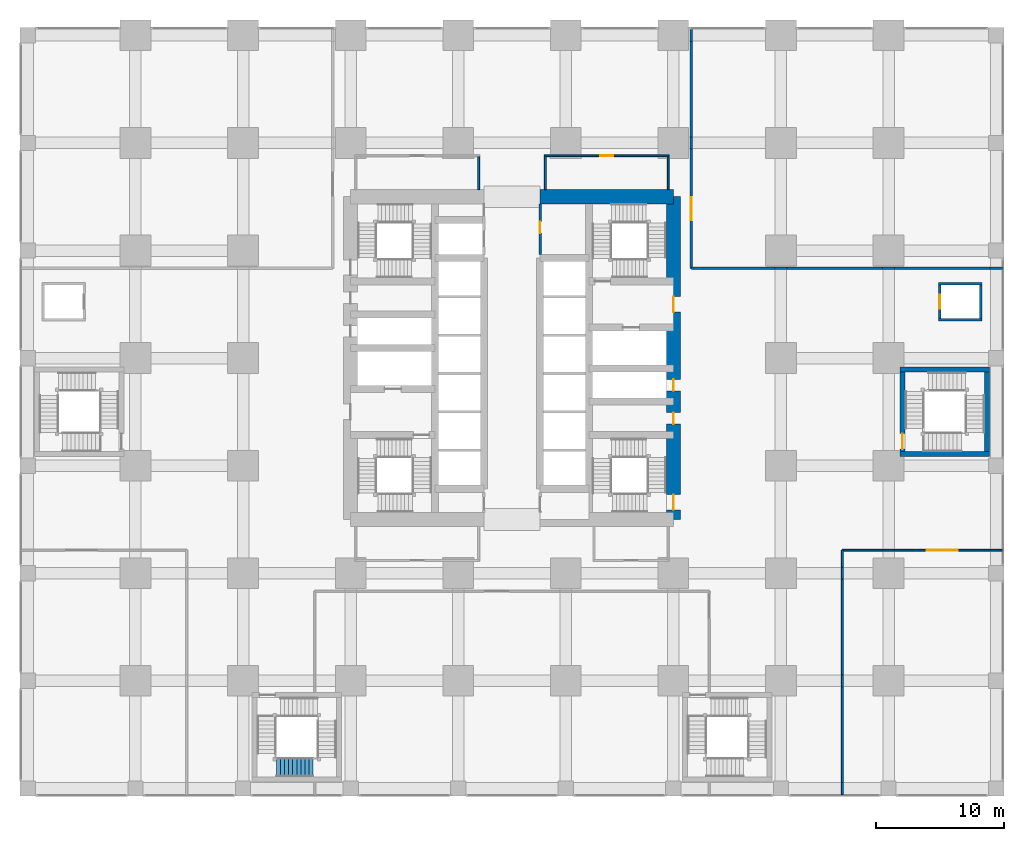
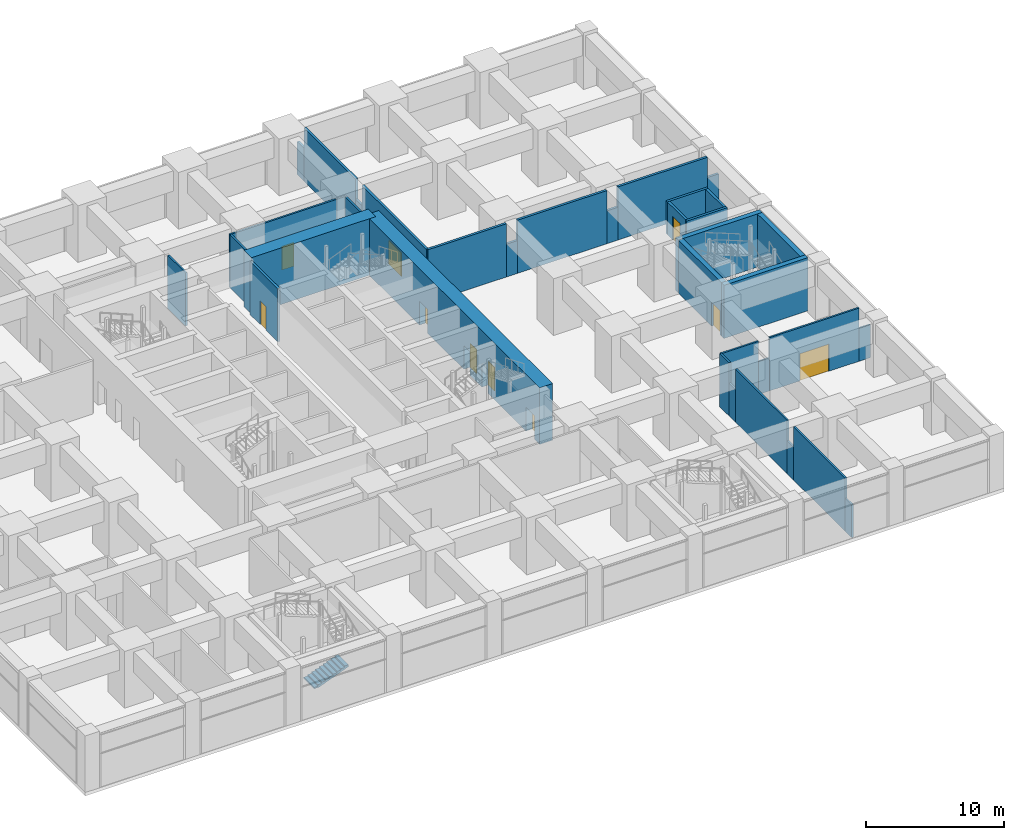
# One storey, part 38 of 48: 35 walls, 10 doors, 1 stair flight, 10 openings, 1 element without a shape of its own.
"""IFC4 building model written with IfcOpenShell, lengths in metres."""

from ifc_helpers import new_model, si_unit, direction, frame, frame_2d, origin, place, context, subcontext, project, spatial, polyline, rectangle, outline, extrude, material, layer, layer_set, type_object, element, fill, aggregate, save


model = new_model("IFC4")

# Units and contexts
model_context = context("Model", 3, precision=1e-05, world=origin(), true_north=direction((0.0, 1.0)))
body_context = subcontext(model_context, "Body", "Model", "MODEL_VIEW")
ifc_project = project(units=[si_unit("LENGTHUNIT", "METRE"), si_unit("AREAUNIT", "SQUARE_METRE"), si_unit("VOLUMEUNIT", "CUBIC_METRE"), si_unit("PLANEANGLEUNIT", "RADIAN"), si_unit("MASSUNIT", "GRAM", prefix="KILO")], contexts=[model_context])

# Site, building, storey
site_placement = place(None, origin())
site = spatial("IfcSite", under=ifc_project, at=site_placement, CompositionType="ELEMENT")
building_placement = place(site_placement, origin())
building = spatial("IfcBuilding", under=site, at=building_placement, Name="Rekha Terrace Tower", CompositionType="ELEMENT")
storey_placement = place(building_placement, frame((0.0, 0.0, 15.39990234375)))
storey = spatial("IfcBuildingStorey", under=building, at=storey_placement, Name="L03", CompositionType="ELEMENT", Elevation=15.39990234375)

# Wall
ifc_material_1 = material(Name="Concrete M70", Category="concrete")
ifc_layer_1 = layer(ifc_material_1, 1.10009765625)
ifc_layer_set_1 = layer_set([ifc_layer_1], Name="Concrete M70")
wall_type_1 = type_object("IfcWallType", Name="SW1 1100 core outer shear wall", PredefinedType="SHEAR", material=ifc_layer_set_1)
wall_1_placement = place(storey_placement, frame((40.0, 46.199951171875, 0.0), z_axis=(0.0, 0.0, 1.0), x_axis=(1.0, 0.0, 0.0)))
element("IfcWall", 1, at=wall_1_placement, inside=storey, type_object=wall_type_1, Name="Core wall N2 L03", PredefinedType="SHEAR", context=body_context, shape_type="SweptSolid", body=[
    extrude(rectangle(XDim=10.39990234375, YDim=1.10009765625, at=frame_2d((5.199951171875, 0.0))), origin(), (0.0, 0.0, 1.0), 5.0),
])

# Wall, openings, doors
wall_2_placement = place(storey_placement, frame((50.39990234375, 21.0, 0.0), z_axis=(0.0, 0.0, 1.0), x_axis=(0.0, 1.0, 0.0)))
wall_2 = element("IfcWall", 2, at=wall_2_placement, inside=storey, type_object=wall_type_1, Name="Core wall E L03", PredefinedType="SHEAR", context=body_context, shape_type="SweptSolid", body=[
    extrude(rectangle(XDim=25.199951171875, YDim=1.10009765625, at=frame_2d((12.60009765625, 0.0))), origin(), (0.0, 0.0, 1.0), 5.0),
])
opening_1_placement = place(wall_2_placement, frame((16.199951171875, 0.0, 0.0)))
opening_1 = element("IfcOpeningElement", 3, at=opening_1_placement, cuts=wall_2, Name="Opening D2", PredefinedType="OPENING", context=body_context, shape_type="SweptSolid", body=[
    extrude(rectangle(XDim=1.199951171875, YDim=2.10009765625, at=frame_2d((0.60009765625, 1.050048828125))), frame((0.0, 0.56005859375, 0.0), z_axis=(0.0, -1.0, 0.0), x_axis=(1.0, 0.0, 0.0)), (0.0, 0.0, 1.0), 1.1201171875),
])
opening_2_placement = place(wall_2_placement, frame((10.050048828125, 0.0, 0.0)))
opening_2 = element("IfcOpeningElement", 4, at=opening_2_placement, cuts=wall_2, Name="Opening D5", PredefinedType="OPENING", context=body_context, shape_type="SweptSolid", body=[
    extrude(rectangle(XDim=0.89990234375, YDim=2.10009765625, at=frame_2d((0.449951171875, 1.050048828125))), frame((0.0, 0.56005859375, 0.0), z_axis=(0.0, -1.0, 0.0), x_axis=(1.0, 0.0, 0.0)), (0.0, 0.0, 1.0), 1.1201171875),
])
opening_3_placement = place(wall_2_placement, frame((7.449951171875, 0.0, 0.0)))
opening_3 = element("IfcOpeningElement", 5, at=opening_3_placement, cuts=wall_2, Name="Opening D5", PredefinedType="OPENING", context=body_context, shape_type="SweptSolid", body=[
    extrude(rectangle(XDim=0.89990234375, YDim=2.10009765625, at=frame_2d((0.449951171875, 1.050048828125))), frame((0.0, 0.56005859375, 0.0), z_axis=(0.0, -1.0, 0.0), x_axis=(1.0, 0.0, 0.0)), (0.0, 0.0, 1.0), 1.1201171875),
])
opening_4_placement = place(wall_2_placement, frame((0.75, 0.0, 0.0)))
opening_4 = element("IfcOpeningElement", 6, at=opening_4_placement, cuts=wall_2, Name="Opening D1", PredefinedType="OPENING", context=body_context, shape_type="SweptSolid", body=[
    extrude(rectangle(XDim=1.199951171875, YDim=2.10009765625, at=frame_2d((0.60009765625, 1.050048828125))), frame((0.0, 0.56005859375, 0.0), z_axis=(0.0, -1.0, 0.0), x_axis=(1.0, 0.0, 0.0)), (0.0, 0.0, 1.0), 1.1201171875),
])
ifc_material_2 = material(Name="Steel fire door", Category="steel")
door_type_1 = type_object("IfcDoorType", Name="D1 1200x2100 stair fire door", OperationType="SINGLE_SWING_RIGHT", PredefinedType="DOOR", material=ifc_material_2)
door_1_placement = place(opening_4_placement, origin())
door_1 = element("IfcDoor", 7, at=door_1_placement, inside=storey, type_object=door_type_1, Name="Stair ST3 door L03", OperationType="SINGLE_SWING_RIGHT", OverallHeight=2.10009765625, OverallWidth=1.199951171875, PredefinedType="DOOR", context=body_context, shape_type="SweptSolid", body=[
    extrude(rectangle(XDim=1.199951171875, YDim=2.10009765625, at=frame_2d((0.60009765625, 1.050048828125))), frame((0.0, 0.02490234375, 0.0), z_axis=(0.0, -1.0, 0.0), x_axis=(1.0, 0.0, 0.0)), (0.0, 0.0, 1.0), 0.050048828125),
])
fill(opening_4, door_1)
door_type_2 = type_object("IfcDoorType", Name="D2 1200x2100 firefighting lobby door", OperationType="SINGLE_SWING_LEFT", PredefinedType="DOOR", material=ifc_material_2)
door_2_placement = place(opening_1_placement, origin())
door_2 = element("IfcDoor", 8, at=door_2_placement, inside=storey, type_object=door_type_2, Name="Door flb2 L03", OperationType="SINGLE_SWING_LEFT", OverallHeight=2.10009765625, OverallWidth=1.199951171875, PredefinedType="DOOR", context=body_context, shape_type="SweptSolid", body=[
    extrude(rectangle(XDim=1.199951171875, YDim=2.10009765625, at=frame_2d((0.60009765625, 1.050048828125))), frame((0.0, 0.02490234375, 0.0), z_axis=(0.0, -1.0, 0.0), x_axis=(1.0, 0.0, 0.0)), (0.0, 0.0, 1.0), 0.050048828125),
])
fill(opening_1, door_2)
door_type_3 = type_object("IfcDoorType", Name="D5 900x2100 riser access door", OperationType="SINGLE_SWING_LEFT", PredefinedType="DOOR", material=ifc_material_2)
door_3_placement = place(opening_2_placement, origin())
door_3 = element("IfcDoor", 9, at=door_3_placement, inside=storey, type_object=door_type_3, Name="Door rs2 L03", OperationType="SINGLE_SWING_LEFT", OverallHeight=2.10009765625, OverallWidth=0.89990234375, PredefinedType="DOOR", context=body_context, shape_type="SweptSolid", body=[
    extrude(rectangle(XDim=0.89990234375, YDim=2.10009765625, at=frame_2d((0.449951171875, 1.050048828125))), frame((0.0, 0.02490234375, 0.0), z_axis=(0.0, -1.0, 0.0), x_axis=(1.0, 0.0, 0.0)), (0.0, 0.0, 1.0), 0.050048828125),
])
fill(opening_2, door_3)
door_4_placement = place(opening_3_placement, origin())
door_4 = element("IfcDoor", 10, at=door_4_placement, inside=storey, type_object=door_type_3, Name="Door ele L03", OperationType="SINGLE_SWING_LEFT", OverallHeight=2.10009765625, OverallWidth=0.89990234375, PredefinedType="DOOR", context=body_context, shape_type="SweptSolid", body=[
    extrude(rectangle(XDim=0.89990234375, YDim=2.10009765625, at=frame_2d((0.449951171875, 1.050048828125))), frame((0.0, 0.02490234375, 0.0), z_axis=(0.0, -1.0, 0.0), x_axis=(1.0, 0.0, 0.0)), (0.0, 0.0, 1.0), 0.050048828125),
])
fill(opening_3, door_4)

# Walls
ifc_material_3 = material(Name="Solid concrete block masonry, 2 hour", Category="masonry")
ifc_layer_2 = layer(ifc_material_3, 0.199951171875)
ifc_layer_set_2 = layer_set([ifc_layer_2], Name="Solid concrete block masonry, 2 hour")
wall_type_2 = type_object("IfcWallType", Name="WP1 200 plant room wall", PredefinedType="PARTITIONING", material=ifc_layer_set_2)
wall_3_placement = place(storey_placement, frame((76.090087890625, 40.60009765625, 0.0), z_axis=(0.0, 0.0, 1.0), x_axis=(-1.0, 0.0, 0.0)))
element("IfcWall", 11, at=wall_3_placement, inside=storey, type_object=wall_type_2, Name="Partition L03-04", PredefinedType="PARTITIONING", context=body_context, shape_type="SweptSolid", body=[
    extrude(rectangle(XDim=0.9501953125, YDim=0.199951171875, at=frame_2d((0.47509765625, 0.0))), origin(), (0.0, 0.0, 1.0), 2.900146484375),
])
wall_4_placement = place(storey_placement, frame((75.139892578125, 40.60009765625, 0.0), z_axis=(0.0, 0.0, 1.0), x_axis=(-1.0, 0.0, 0.0)))
element("IfcWall", 12, at=wall_4_placement, inside=storey, type_object=wall_type_2, Name="Partition L03-04", PredefinedType="PARTITIONING", context=body_context, shape_type="SweptSolid", body=[
    extrude(rectangle(XDim=7.47998046875, YDim=0.199951171875, at=frame_2d((3.739990234375, 0.0))), origin(), (0.0, 0.0, 1.0), 4.7001953125),
])
wall_5_placement = place(storey_placement, frame((67.659912109375, 40.60009765625, 0.0), z_axis=(0.0, 0.0, 1.0), x_axis=(-1.0, 0.0, 0.0)))
element("IfcWall", 13, at=wall_5_placement, inside=storey, type_object=wall_type_2, Name="Partition L03-04", PredefinedType="PARTITIONING", context=body_context, shape_type="SweptSolid", body=[
    extrude(rectangle(XDim=0.919921875, YDim=0.199951171875, at=frame_2d((0.4599609375, 0.0))), origin(), (0.0, 0.0, 1.0), 2.900146484375),
])
wall_6_placement = place(storey_placement, frame((66.739990234375, 40.60009765625, 0.0), z_axis=(0.0, 0.0, 1.0), x_axis=(-1.0, 0.0, 0.0)))
element("IfcWall", 14, at=wall_6_placement, inside=storey, type_object=wall_type_2, Name="Partition L03-04", PredefinedType="PARTITIONING", context=body_context, shape_type="SweptSolid", body=[
    extrude(rectangle(XDim=7.47998046875, YDim=0.199951171875, at=frame_2d((3.739990234375, 0.0))), origin(), (0.0, 0.0, 1.0), 4.7001953125),
])
wall_7_placement = place(storey_placement, frame((59.260009765625, 40.60009765625, 0.0), z_axis=(0.0, 0.0, 1.0), x_axis=(-1.0, 0.0, 0.0)))
element("IfcWall", 15, at=wall_7_placement, inside=storey, type_object=wall_type_2, Name="Partition L03-04", PredefinedType="PARTITIONING", context=body_context, shape_type="SweptSolid", body=[
    extrude(rectangle(XDim=0.919921875, YDim=0.199951171875, at=frame_2d((0.4599609375, 0.0))), origin(), (0.0, 0.0, 1.0), 2.900146484375),
])
wall_8_placement = place(storey_placement, frame((58.340087890625, 40.60009765625, 0.0), z_axis=(0.0, 0.0, 1.0), x_axis=(-1.0, 0.0, 0.0)))
element("IfcWall", 16, at=wall_8_placement, inside=storey, type_object=wall_type_2, Name="Partition L03-04", PredefinedType="PARTITIONING", context=body_context, shape_type="SweptSolid", body=[
    extrude(rectangle(XDim=6.5400390625, YDim=0.199951171875, at=frame_2d((3.27001953125, 0.0))), origin(), (0.0, 0.0, 1.0), 4.7001953125),
])

# Wall, opening, door
wall_9_placement = place(storey_placement, frame((51.800048828125, 40.60009765625, 0.0), z_axis=(0.0, 0.0, 1.0), x_axis=(0.0, 1.0, 0.0)))
wall_9 = element("IfcWall", 17, at=wall_9_placement, inside=storey, type_object=wall_type_2, Name="Partition L03-04", PredefinedType="PARTITIONING", context=body_context, shape_type="SweptSolid", body=[
    extrude(rectangle(XDim=9.33984375, YDim=0.199951171875, at=frame_2d((4.669921875, 0.0))), origin(), (0.0, 0.0, 1.0), 4.7001953125),
])
opening_5_placement = place(wall_9_placement, frame((3.77001953125, 0.0, 0.0)))
opening_5 = element("IfcOpeningElement", 18, at=opening_5_placement, cuts=wall_9, Name="Opening D8", PredefinedType="OPENING", context=body_context, shape_type="SweptSolid", body=[
    extrude(rectangle(XDim=1.800048828125, YDim=2.10009765625, at=frame_2d((0.89990234375, 1.050048828125))), frame((0.0, 0.10986328125, 0.0), z_axis=(0.0, -1.0, 0.0), x_axis=(1.0, 0.0, 0.0)), (0.0, 0.0, 1.0), 0.219970703125),
])
ifc_material_4 = material(Name="Timber fire door", Category="wood")
door_type_4 = type_object("IfcDoorType", Name="D8 1800x2100 double leaf door", OperationType="DOUBLE_DOOR_SINGLE_SWING", PredefinedType="DOOR", material=ifc_material_4)
door_5_placement = place(opening_5_placement, origin())
door_5 = element("IfcDoor", 19, at=door_5_placement, inside=storey, type_object=door_type_4, Name="Door kitchen 2 L03", OperationType="DOUBLE_DOOR_SINGLE_SWING", OverallHeight=2.10009765625, OverallWidth=1.800048828125, PredefinedType="DOOR", context=body_context, shape_type="SweptSolid", body=[
    extrude(rectangle(XDim=1.800048828125, YDim=2.10009765625, at=frame_2d((0.89990234375, 1.050048828125))), frame((0.0, 0.02490234375, 0.0), z_axis=(0.0, -1.0, 0.0), x_axis=(1.0, 0.0, 0.0)), (0.0, 0.0, 1.0), 0.050048828125),
])
fill(opening_5, door_5)

# Walls
wall_10_placement = place(storey_placement, frame((51.800048828125, 49.93994140625, 0.0), z_axis=(0.0, 0.0, 1.0), x_axis=(0.0, 1.0, 0.0)))
element("IfcWall", 20, at=wall_10_placement, inside=storey, type_object=wall_type_2, Name="Partition L03-04", PredefinedType="PARTITIONING", context=body_context, shape_type="SweptSolid", body=[
    extrude(rectangle(XDim=0.920166015625, YDim=0.199951171875, at=frame_2d((0.4599609375, 0.0))), origin(), (0.0, 0.0, 1.0), 2.900146484375),
])
wall_11_placement = place(storey_placement, frame((51.800048828125, 50.860107421875, 0.0), z_axis=(0.0, 0.0, 1.0), x_axis=(0.0, 1.0, 0.0)))
element("IfcWall", 21, at=wall_11_placement, inside=storey, type_object=wall_type_2, Name="Partition L03-04", PredefinedType="PARTITIONING", context=body_context, shape_type="SweptSolid", body=[
    extrude(rectangle(XDim=7.47998046875, YDim=0.199951171875, at=frame_2d((3.739990234375, 0.0))), origin(), (0.0, 0.0, 1.0), 4.7001953125),
])
wall_12_placement = place(storey_placement, frame((51.800048828125, 58.340087890625, 0.0), z_axis=(0.0, 0.0, 1.0), x_axis=(0.0, 1.0, 0.0)))
element("IfcWall", 22, at=wall_12_placement, inside=storey, type_object=wall_type_2, Name="Partition L03-04", PredefinedType="PARTITIONING", context=body_context, shape_type="SweptSolid", body=[
    extrude(rectangle(XDim=0.949951171875, YDim=0.199951171875, at=frame_2d((0.47509765625, 0.0))), origin(), (0.0, 0.0, 1.0), 2.900146484375),
])

# Wall, opening, door
ifc_material_5 = material(Name="Concrete block masonry, 1 hour", Category="masonry")
ifc_layer_3 = layer(ifc_material_5, 0.14990234375)
ifc_layer_set_3 = layer_set([ifc_layer_3], Name="Concrete block masonry, 1 hour")
wall_type_3 = type_object("IfcWallType", Name="WP2 150 tenancy partition", PredefinedType="PARTITIONING", material=ifc_layer_set_3)
wall_13_placement = place(storey_placement, frame((40.324951171875, 49.39990234375, 0.0), z_axis=(0.0, 0.0, 1.0), x_axis=(1.0, 0.0, 0.0)))
wall_13 = element("IfcWall", 23, at=wall_13_placement, inside=storey, type_object=wall_type_3, Name="Women's WC wall L03", PredefinedType="PARTITIONING", context=body_context, shape_type="SweptSolid", body=[
    extrude(rectangle(XDim=9.75, YDim=0.14990234375, at=frame_2d((4.875, 0.0))), origin(), (0.0, 0.0, 1.0), 4.7001953125),
])
opening_6_placement = place(wall_13_placement, frame((4.375, 0.0, 0.0)))
opening_6 = element("IfcOpeningElement", 24, at=opening_6_placement, cuts=wall_13, Name="Opening D3", PredefinedType="OPENING", context=body_context, shape_type="SweptSolid", body=[
    extrude(rectangle(XDim=1.0, YDim=2.10009765625, at=frame_2d((0.5, 1.050048828125))), frame((0.0, 0.0849609375, 0.0), z_axis=(0.0, -1.0, 0.0), x_axis=(1.0, 0.0, 0.0)), (0.0, 0.0, 1.0), 0.169921875),
])
ifc_material_6 = material(Name="Laminated timber fire door", Category="wood")
door_type_5 = type_object("IfcDoorType", Name="D3 1000x2100 WC door", OperationType="SINGLE_SWING_LEFT", PredefinedType="DOOR", material=ifc_material_6)
door_6_placement = place(opening_6_placement, origin())
door_6 = element("IfcDoor", 25, at=door_6_placement, inside=storey, type_object=door_type_5, Name="Door women's wc L03", OperationType="SINGLE_SWING_LEFT", OverallHeight=2.10009765625, OverallWidth=1.0, PredefinedType="DOOR", context=body_context, shape_type="SweptSolid", body=[
    extrude(rectangle(XDim=1.0, YDim=2.10009765625, at=frame_2d((0.5, 1.050048828125))), frame((0.0, 0.02490234375, 0.0), z_axis=(0.0, -1.0, 0.0), x_axis=(1.0, 0.0, 0.0)), (0.0, 0.0, 1.0), 0.050048828125),
])
fill(opening_6, door_6)

# Walls
for number, where, z_axis, x_axis, name in (
    (26, (40.39990234375, 46.75, 0.0), (0.0, 0.0, 1.0), (0.0, 1.0, 0.0), "Women's WC wall L03"),
    (27, (50.0, 46.75, 0.0), (0.0, 0.0, 1.0), (0.0, 1.0, 0.0), "Women's WC wall L03"),
    (28, (35.199951171875, 46.75, 0.0), (0.0, 0.0, 1.0), (0.0, 1.0, 0.0), "Women's WC wall L03"),
):
    element("IfcWall", number, at=place(storey_placement, frame(where, z_axis=z_axis, x_axis=x_axis)), inside=storey, type_object=wall_type_3, Name=name, PredefinedType="PARTITIONING", context=body_context, shape_type="SweptSolid", body=[
        extrude(rectangle(XDim=2.574951171875, YDim=0.14990234375, at=frame_2d((1.28759765625, 0.0))), origin(), (0.0, 0.0, 1.0), 4.7001953125),
    ])
wall_14_placement = place(storey_placement, frame((63.60009765625, -0.489990234375, 0.0), z_axis=(0.0, 0.0, 1.0), x_axis=(0.0, 1.0, 0.0)))
element("IfcWall", 29, at=wall_14_placement, inside=storey, type_object=wall_type_3, Name="Partition L03-06", PredefinedType="PARTITIONING", context=body_context, shape_type="SweptSolid", body=[
    extrude(rectangle(XDim=0.949951171875, YDim=0.14990234375, at=frame_2d((0.47509765625, 0.0))), origin(), (0.0, 0.0, 1.0), 2.900146484375),
])
wall_15_placement = place(storey_placement, frame((63.60009765625, 0.4599609375, 0.0), z_axis=(0.0, 0.0, 1.0), x_axis=(0.0, 1.0, 0.0)))
element("IfcWall", 30, at=wall_15_placement, inside=storey, type_object=wall_type_3, Name="Partition L03-06", PredefinedType="PARTITIONING", context=body_context, shape_type="SweptSolid", body=[
    extrude(rectangle(XDim=7.47998046875, YDim=0.14990234375, at=frame_2d((3.739990234375, 0.0))), origin(), (0.0, 0.0, 1.0), 4.7001953125),
])
wall_16_placement = place(storey_placement, frame((63.60009765625, 7.93994140625, 0.0), z_axis=(0.0, 0.0, 1.0), x_axis=(0.0, 1.0, 0.0)))
element("IfcWall", 31, at=wall_16_placement, inside=storey, type_object=wall_type_3, Name="Partition L03-06", PredefinedType="PARTITIONING", context=body_context, shape_type="SweptSolid", body=[
    extrude(rectangle(XDim=0.920166015625, YDim=0.14990234375, at=frame_2d((0.4599609375, 0.0))), origin(), (0.0, 0.0, 1.0), 2.900146484375),
])
wall_17_placement = place(storey_placement, frame((63.60009765625, 8.860107421875, 0.0), z_axis=(0.0, 0.0, 1.0), x_axis=(0.0, 1.0, 0.0)))
element("IfcWall", 32, at=wall_17_placement, inside=storey, type_object=wall_type_3, Name="Partition L03-06", PredefinedType="PARTITIONING", context=body_context, shape_type="SweptSolid", body=[
    extrude(rectangle(XDim=7.47998046875, YDim=0.14990234375, at=frame_2d((3.739990234375, 0.0))), origin(), (0.0, 0.0, 1.0), 4.7001953125),
])
wall_18_placement = place(storey_placement, frame((63.60009765625, 16.340087890625, 0.0), z_axis=(0.0, 0.0, 1.0), x_axis=(0.0, 1.0, 0.0)))
element("IfcWall", 33, at=wall_18_placement, inside=storey, type_object=wall_type_3, Name="Partition L03-06", PredefinedType="PARTITIONING", context=body_context, shape_type="SweptSolid", body=[
    extrude(rectangle(XDim=0.919921875, YDim=0.14990234375, at=frame_2d((0.4599609375, 0.0))), origin(), (0.0, 0.0, 1.0), 2.900146484375),
])
wall_19_placement = place(storey_placement, frame((63.60009765625, 17.260009765625, 0.0), z_axis=(0.0, 0.0, 1.0), x_axis=(0.0, 1.0, 0.0)))
element("IfcWall", 34, at=wall_19_placement, inside=storey, type_object=wall_type_3, Name="Partition L03-06", PredefinedType="PARTITIONING", context=body_context, shape_type="SweptSolid", body=[
    extrude(rectangle(XDim=1.340087890625, YDim=0.14990234375, at=frame_2d((0.669921875, 0.0))), origin(), (0.0, 0.0, 1.0), 4.7001953125),
])
wall_20_placement = place(storey_placement, frame((63.60009765625, 18.60009765625, 0.0), z_axis=(0.0, 0.0, 1.0), x_axis=(1.0, 0.0, 0.0)))
element("IfcWall", 35, at=wall_20_placement, inside=storey, type_object=wall_type_3, Name="Partition L03-06", PredefinedType="PARTITIONING", context=body_context, shape_type="SweptSolid", body=[
    extrude(rectangle(XDim=3.139892578125, YDim=0.14990234375, at=frame_2d((1.56982421875, 0.0))), origin(), (0.0, 0.0, 1.0), 4.7001953125),
])
wall_21_placement = place(storey_placement, frame((66.739990234375, 18.60009765625, 0.0), z_axis=(0.0, 0.0, 1.0), x_axis=(1.0, 0.0, 0.0)))
element("IfcWall", 36, at=wall_21_placement, inside=storey, type_object=wall_type_3, Name="Partition L03-06", PredefinedType="PARTITIONING", context=body_context, shape_type="SweptSolid", body=[
    extrude(rectangle(XDim=0.919921875, YDim=0.14990234375, at=frame_2d((0.4599609375, 0.0))), origin(), (0.0, 0.0, 1.0), 2.900146484375),
])

# Wall, opening, door
wall_22_placement = place(storey_placement, frame((67.659912109375, 18.60009765625, 0.0), z_axis=(0.0, 0.0, 1.0), x_axis=(1.0, 0.0, 0.0)))
wall_22 = element("IfcWall", 37, at=wall_22_placement, inside=storey, type_object=wall_type_3, Name="Partition L03-06", PredefinedType="PARTITIONING", context=body_context, shape_type="SweptSolid", body=[
    extrude(rectangle(XDim=7.47998046875, YDim=0.14990234375, at=frame_2d((3.739990234375, 0.0))), origin(), (0.0, 0.0, 1.0), 4.7001953125),
])
opening_7_placement = place(wall_22_placement, frame((2.5400390625, 0.0, 0.0)))
opening_7 = element("IfcOpeningElement", 38, at=opening_7_placement, cuts=wall_22, Name="Opening D7", PredefinedType="OPENING", context=body_context, shape_type="SweptSolid", body=[
    extrude(rectangle(XDim=2.39990234375, YDim=2.39990234375, at=frame_2d((1.199951171875, 1.199951171875))), frame((0.0, 0.0849609375, 0.0), z_axis=(0.0, -1.0, 0.0), x_axis=(1.0, 0.0, 0.0)), (0.0, 0.0, 1.0), 0.169921875),
])
ifc_material_7 = material(Name="Glazed aluminium door", Category="aluminium")
door_type_6 = type_object("IfcDoorType", Name="D7 2400x2400 shopfront double door", OperationType="DOUBLE_DOOR_SINGLE_SWING", PredefinedType="DOOR", material=ifc_material_7)
door_7_placement = place(opening_7_placement, origin())
door_7 = element("IfcDoor", 39, at=door_7_placement, inside=storey, type_object=door_type_6, Name="Door retail unit 15 L03", OperationType="DOUBLE_DOOR_SINGLE_SWING", OverallHeight=2.39990234375, OverallWidth=2.39990234375, PredefinedType="DOOR", context=body_context, shape_type="SweptSolid", body=[
    extrude(rectangle(XDim=2.39990234375, YDim=2.39990234375, at=frame_2d((1.199951171875, 1.199951171875))), frame((0.0, 0.02490234375, 0.0), z_axis=(0.0, -1.0, 0.0), x_axis=(1.0, 0.0, 0.0)), (0.0, 0.0, 1.0), 0.050048828125),
])
fill(opening_7, door_7)

# Walls
wall_23_placement = place(storey_placement, frame((75.139892578125, 18.60009765625, 0.0), z_axis=(0.0, 0.0, 1.0), x_axis=(1.0, 0.0, 0.0)))
element("IfcWall", 40, at=wall_23_placement, inside=storey, type_object=wall_type_3, Name="Partition L03-06", PredefinedType="PARTITIONING", context=body_context, shape_type="SweptSolid", body=[
    extrude(rectangle(XDim=0.9501953125, YDim=0.14990234375, at=frame_2d((0.47509765625, 0.0))), origin(), (0.0, 0.0, 1.0), 2.900146484375),
])
ifc_layer_4 = layer(ifc_material_3, 0.199951171875)
ifc_layer_set_4 = layer_set([ifc_layer_4], Name="Solid concrete block masonry, 2 hour")
wall_type_4 = type_object("IfcWallType", Name="WS1 200 stair and shaft enclosure", PredefinedType="PARTITIONING", material=ifc_layer_set_4)
for number, where, z_axis, x_axis, name in (
    (41, (71.10009765625, 36.60009765625, 0.0), (0.0, 0.0, 1.0), (1.0, 0.0, 0.0), "Lift PL2 shaft south wall"),
    (42, (71.10009765625, 39.39990234375, 0.0), (0.0, 0.0, 1.0), (1.0, 0.0, 0.0), "Lift PL2 shaft north wall"),
):
    element("IfcWall", number, at=place(storey_placement, frame(where, z_axis=z_axis, x_axis=x_axis)), inside=storey, type_object=wall_type_4, Name=name, PredefinedType="PARTITIONING", context=body_context, shape_type="SweptSolid", body=[
        extrude(rectangle(XDim=3.39990234375, YDim=0.199951171875, at=frame_2d((1.699951171875, 0.0))), origin(), (0.0, 0.0, 1.0), 2.900146484375),
    ])

# Wall, opening, door
wall_24_placement = place(storey_placement, frame((71.199951171875, 36.699951171875, 0.0), z_axis=(0.0, 0.0, 1.0), x_axis=(0.0, 1.0, 0.0)))
wall_24 = element("IfcWall", 43, at=wall_24_placement, inside=storey, type_object=wall_type_4, Name="Lift PL2 shaft west wall", PredefinedType="PARTITIONING", context=body_context, shape_type="SweptSolid", body=[
    extrude(rectangle(XDim=2.60009765625, YDim=0.199951171875, at=frame_2d((1.300048828125, 0.0))), origin(), (0.0, 0.0, 1.0), 2.900146484375),
])
opening_8_placement = place(wall_24_placement, frame((0.75, 0.0, 0.0)))
opening_8 = element("IfcOpeningElement", 44, at=opening_8_placement, cuts=wall_24, Name="Opening LD1", PredefinedType="OPENING", context=body_context, shape_type="SweptSolid", body=[
    extrude(rectangle(XDim=1.10009765625, YDim=2.10009765625, at=frame_2d((0.550048828125, 1.050048828125))), frame((0.0, 0.10986328125, 0.0), z_axis=(0.0, -1.0, 0.0), x_axis=(1.0, 0.0, 0.0)), (0.0, 0.0, 1.0), 0.219970703125),
])
ifc_material_8 = material(Name="Stainless steel sliding landing door", Category="steel")
door_type_7 = type_object("IfcDoorType", Name="LD1 1100x2100 lift landing door", OperationType="SLIDING_TO_LEFT", PredefinedType="USERDEFINED", material=ifc_material_8)
door_8_placement = place(opening_8_placement, origin())
door_8 = element("IfcDoor", 45, at=door_8_placement, inside=storey, type_object=door_type_7, Name="Lift PL2 landing door L03", ObjectType="LIFT LANDING DOOR", OperationType="SLIDING_TO_LEFT", OverallHeight=2.10009765625, OverallWidth=1.10009765625, PredefinedType="USERDEFINED", context=body_context, shape_type="SweptSolid", body=[
    extrude(rectangle(XDim=1.10009765625, YDim=2.10009765625, at=frame_2d((0.550048828125, 1.050048828125))), frame((0.0, 0.02490234375, 0.0), z_axis=(0.0, -1.0, 0.0), x_axis=(1.0, 0.0, 0.0)), (0.0, 0.0, 1.0), 0.050048828125),
])
fill(opening_8, door_8)

# Wall
wall_25_placement = place(storey_placement, frame((74.39990234375, 36.699951171875, 0.0), z_axis=(0.0, 0.0, 1.0), x_axis=(0.0, 1.0, 0.0)))
element("IfcWall", 46, at=wall_25_placement, inside=storey, type_object=wall_type_4, Name="Lift PL2 shaft east wall", PredefinedType="PARTITIONING", context=body_context, shape_type="SweptSolid", body=[
    extrude(rectangle(XDim=2.60009765625, YDim=0.199951171875, at=frame_2d((1.300048828125, 0.0))), origin(), (0.0, 0.0, 1.0), 2.900146484375),
])

# Wall, opening, door
wall_26_placement = place(storey_placement, frame((40.0, 41.675048828125, 0.0), z_axis=(0.0, 0.0, 1.0), x_axis=(0.0, 1.0, 0.0)))
wall_26 = element("IfcWall", 47, at=wall_26_placement, inside=storey, type_object=wall_type_4, Name="Core partition elec L03", PredefinedType="PARTITIONING", context=body_context, shape_type="SweptSolid", body=[
    extrude(rectangle(XDim=3.974853515625, YDim=0.199951171875, at=frame_2d((1.9873046875, 0.0))), origin(), (0.0, 0.0, 1.0), 4.7001953125),
])
opening_9_placement = place(wall_26_placement, frame((1.675048828125, 0.0, 0.0)))
opening_9 = element("IfcOpeningElement", 48, at=opening_9_placement, cuts=wall_26, Name="Opening D5", PredefinedType="OPENING", context=body_context, shape_type="SweptSolid", body=[
    extrude(rectangle(XDim=0.89990234375, YDim=2.10009765625, at=frame_2d((0.449951171875, 1.050048828125))), frame((0.0, 0.10986328125, 0.0), z_axis=(0.0, -1.0, 0.0), x_axis=(1.0, 0.0, 0.0)), (0.0, 0.0, 1.0), 0.219970703125),
])
door_9_placement = place(opening_9_placement, origin())
door_9 = element("IfcDoor", 49, at=door_9_placement, inside=storey, type_object=door_type_3, Name="Door electrical room L03", OperationType="SINGLE_SWING_LEFT", OverallHeight=2.10009765625, OverallWidth=0.89990234375, PredefinedType="DOOR", context=body_context, shape_type="SweptSolid", body=[
    extrude(rectangle(XDim=0.89990234375, YDim=2.10009765625, at=frame_2d((0.449951171875, 1.050048828125))), frame((0.0, 0.02490234375, 0.0), z_axis=(0.0, -1.0, 0.0), x_axis=(1.0, 0.0, 0.0)), (0.0, 0.0, 1.0), 0.050048828125),
])
fill(opening_9, door_9)

# Walls
ifc_material_9 = material(Name="Concrete M60", Category="concrete")
ifc_layer_5 = layer(ifc_material_9, 0.39990234375)
ifc_layer_set_5 = layer_set([ifc_layer_5], Name="Concrete M60")
wall_type_5 = type_object("IfcWallType", Name="WS3 400 RC podium stair wall", PredefinedType="SOLIDWALL", material=ifc_layer_set_5)
for number, where, z_axis, x_axis, name in (
    (50, (68.10009765625, 26.10009765625, 0.0), (0.0, 0.0, 1.0), (1.0, 0.0, 0.0), "Stair SP2 south wall"),
    (51, (68.10009765625, 32.699951171875, 0.0), (0.0, 0.0, 1.0), (1.0, 0.0, 0.0), "Stair SP2 north wall"),
):
    element("IfcWall", number, at=place(storey_placement, frame(where, z_axis=z_axis, x_axis=x_axis)), inside=storey, type_object=wall_type_5, Name=name, PredefinedType="SOLIDWALL", context=body_context, shape_type="SweptSolid", body=[
        extrude(rectangle(XDim=7.0, YDim=0.39990234375, at=frame_2d((3.5, 0.0))), origin(), (0.0, 0.0, 1.0), 4.7001953125),
    ])

# Wall, opening, door
wall_27_placement = place(storey_placement, frame((68.300048828125, 26.300048828125, 0.0), z_axis=(0.0, 0.0, 1.0), x_axis=(0.0, 1.0, 0.0)))
wall_27 = element("IfcWall", 52, at=wall_27_placement, inside=storey, type_object=wall_type_5, Name="Stair SP2 west wall", PredefinedType="SOLIDWALL", context=body_context, shape_type="SweptSolid", body=[
    extrude(rectangle(XDim=6.199951171875, YDim=0.39990234375, at=frame_2d((3.10009765625, 0.0))), origin(), (0.0, 0.0, 1.0), 4.7001953125),
])
opening_10_placement = place(wall_27_placement, frame((0.199951171875, 0.0, 0.0)))
opening_10 = element("IfcOpeningElement", 53, at=opening_10_placement, cuts=wall_27, Name="Opening D1", PredefinedType="OPENING", context=body_context, shape_type="SweptSolid", body=[
    extrude(rectangle(XDim=1.199951171875, YDim=2.10009765625, at=frame_2d((0.60009765625, 1.050048828125))), frame((0.0, 0.2099609375, 0.0), z_axis=(0.0, -1.0, 0.0), x_axis=(1.0, 0.0, 0.0)), (0.0, 0.0, 1.0), 0.419921875),
])
door_10_placement = place(opening_10_placement, origin())
door_10 = element("IfcDoor", 54, at=door_10_placement, inside=storey, type_object=door_type_1, Name="Stair SP2 door L03", OperationType="SINGLE_SWING_RIGHT", OverallHeight=2.10009765625, OverallWidth=1.199951171875, PredefinedType="DOOR", context=body_context, shape_type="SweptSolid", body=[
    extrude(rectangle(XDim=1.199951171875, YDim=2.10009765625, at=frame_2d((0.60009765625, 1.050048828125))), frame((0.0, 0.02490234375, 0.0), z_axis=(0.0, -1.0, 0.0), x_axis=(1.0, 0.0, 0.0)), (0.0, 0.0, 1.0), 0.050048828125),
])
fill(opening_10, door_10)

# Wall
wall_28_placement = place(storey_placement, frame((74.89990234375, 26.300048828125, 0.0), z_axis=(0.0, 0.0, 1.0), x_axis=(0.0, 1.0, 0.0)))
element("IfcWall", 55, at=wall_28_placement, inside=storey, type_object=wall_type_5, Name="Stair SP2 east wall", PredefinedType="SOLIDWALL", context=body_context, shape_type="SweptSolid", body=[
    extrude(rectangle(XDim=6.199951171875, YDim=0.39990234375, at=frame_2d((3.10009765625, 0.0))), origin(), (0.0, 0.0, 1.0), 4.7001953125),
])

# Stair, stair flight
ifc_material_10 = material(Name="Concrete M40", Category="concrete")
stair_type = type_object("IfcStairType", Name="ST40 stair, 40 risers of 125, going 320, 1500 wide flights, 4 flights", PredefinedType="QUARTER_TURN_STAIR", material=ifc_material_10)
stair_placement = place(storey_placement, origin())
stair = element("IfcStair", 56, at=stair_placement, inside=storey, type_object=stair_type, Name="Stair SP3 L03 to L04", PredefinedType="QUARTER_TURN_STAIR")
stair_flight_type = type_object("IfcStairFlightType", Name="SF10 stair flight, 10 risers of 125, going 320, 1500 wide", PredefinedType="STRAIGHT", material=ifc_material_10)
stair_flight_placement = place(storey_placement, frame((19.39990234375, 1.64990234375, 1.25), z_axis=(0.0, 0.0, 1.0), x_axis=(1.0, 0.0, 0.0)))
stair_flight = element("IfcStairFlight", 57, at=stair_flight_placement, type_object=stair_flight_type, Name="SP3 flight 2", NumberOfRisers=10, NumberOfTreads=9, PredefinedType="STRAIGHT", RiserHeight=0.125, TreadLength=0.32, context=body_context, shape_type="SweptSolid", body=[
    extrude(outline(polyline([(0.0, 0.0), (0.0, 0.125), (0.320068359375, 0.125), (0.320068359375, 0.25), (0.639892578125, 0.25), (0.639892578125, 0.375), (0.9599609375, 0.375), (0.9599609375, 0.5), (1.280029296875, 0.5), (1.280029296875, 0.625), (1.60009765625, 0.625), (1.60009765625, 0.75), (1.919921875, 0.75), (1.919921875, 0.875), (2.239990234375, 0.875), (2.239990234375, 1.0), (2.56005859375, 1.0), (2.56005859375, 1.125), (2.8798828125, 1.125), (2.8798828125, 1.25), (2.8798828125, 0.964111328125), (0.412109375, 0.0), (0.0, 0.0)])), frame((0.0, 0.75, 0.0), z_axis=(0.0, -1.0, 0.0), x_axis=(1.0, 0.0, 0.0)), (0.0, 0.0, 1.0), 1.5),
])
aggregate(stair, [stair_flight])

save(model, "model.ifc")
